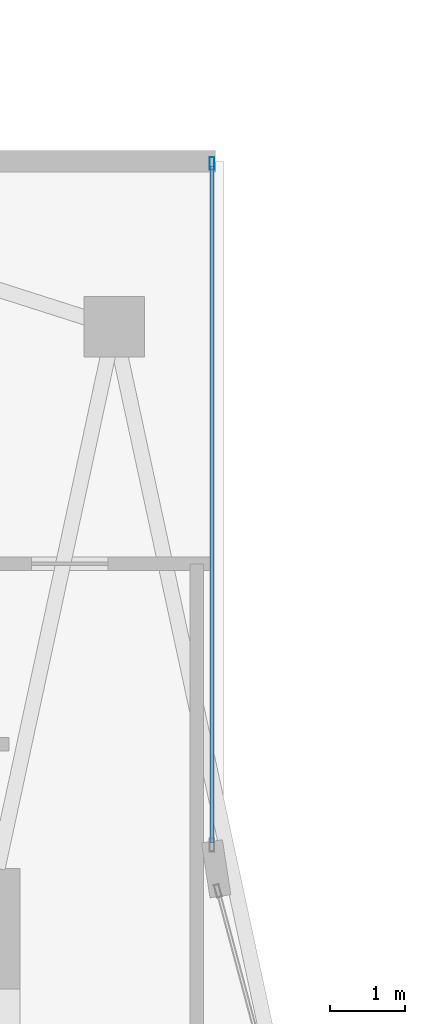
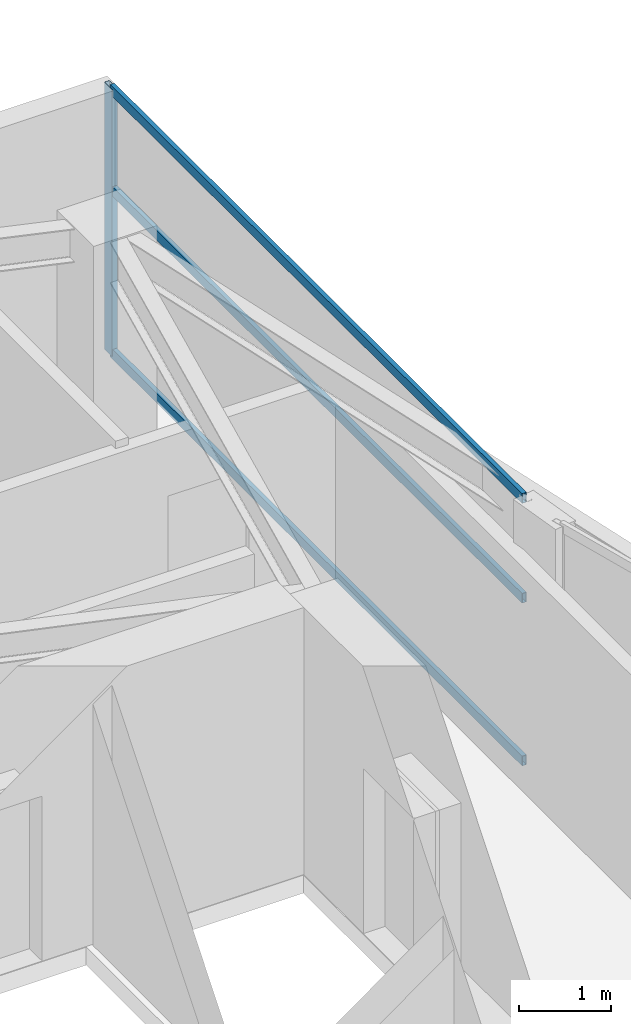
# One storey, part 20 of 28: 4 members, 1 element without a shape of its own.
"""IFC4 building model written with IfcOpenShell, lengths in metres."""

from ifc_helpers import new_model, si_unit, direction, frame, origin, origin_2d, place, context, subcontext, project, spatial, hollow_rectangle, extrude, material, layer, layer_set, material_profile, profile_set, type_object, element, aggregate, save


model = new_model("IFC4")

# Units and contexts
model_context = context("Model", 3, precision=1e-05, world=origin(), true_north=direction((0.0, 1.0)))
body_context = subcontext(model_context, "Body", "Model", "MODEL_VIEW")
ifc_project = project(units=[si_unit("LENGTHUNIT", "METRE"), si_unit("AREAUNIT", "SQUARE_METRE"), si_unit("VOLUMEUNIT", "CUBIC_METRE"), si_unit("PLANEANGLEUNIT", "RADIAN"), si_unit("MASSUNIT", "GRAM", prefix="KILO")], contexts=[model_context])

# Site, building, storey
site_placement = place(None, origin())
site = spatial("IfcSite", under=ifc_project, at=site_placement, CompositionType="ELEMENT")
building_placement = place(site_placement, origin())
building = spatial("IfcBuilding", under=site, at=building_placement, Name="Calvorn Quay Hotel", CompositionType="ELEMENT")
storey_placement = place(building_placement, frame((0.0, 0.0, 271.10009765625)))
storey = spatial("IfcBuildingStorey", under=building, at=storey_placement, Name="L67", CompositionType="ELEMENT", Elevation=271.10009765625)

# Curtain wall, members
ifc_material_1 = material(Name="Champagne Bronze Anodised Aluminium and Low-E Glass", Category="aluminium")
ifc_layer = layer(ifc_material_1, 0.219970703125)
ifc_layer_set = layer_set([ifc_layer], Name="CW-SYS-Z4")
curtain_wall_type = type_object("IfcCurtainWallType", Name="CW-SYS-Z4", PredefinedType="NOTDEFINED", material=ifc_layer_set)
curtain_wall_placement = place(storey_placement, origin())
curtain_wall = element("IfcCurtainWall", 1, at=curtain_wall_placement, inside=storey, type_object=curtain_wall_type, Name="Inner Court Curtain Wall L67-IC2", PredefinedType="NOTDEFINED")
ifc_material_2 = material(Name="Champagne Bronze Anodised Aluminium 6063-T6", Category="aluminium")
ifc_material_profile_1 = material_profile(ifc_material_2, hollow_rectangle(XDim=0.06494140625, YDim=0.169921875, WallThickness=0.00341796875, at=origin_2d()), Name="ALU-M170x65x3.5")
ifc_profile_set_1 = profile_set([ifc_material_profile_1], Name="Champagne Bronze Anodised Aluminium 6063-T6")
member_type_1 = type_object("IfcMemberType", Name="CW-SYS-Z4-MUL", PredefinedType="MULLION", material=ifc_profile_set_1)
member_1_placement = place(storey_placement, frame((17.85009765625, 47.77001953125, 0.0), z_axis=(0.0, 0.0, 1.0), x_axis=(-1.0, 0.0, 0.0)))
member_1 = element("IfcMember", 2, at=member_1_placement, type_object=member_type_1, Name="CW-L67-IC2 mullion 2", PredefinedType="MULLION", context=body_context, shape_type="SweptSolid", body=[
    extrude(hollow_rectangle(XDim=0.06494140625, YDim=0.169921875, WallThickness=0.00341796875, at=origin_2d()), origin(), (0.0, 0.0, 1.0), 3.559814453125),
])
ifc_material_3 = material(Name="Champagne Bronze Anodised Aluminium 6063-T6", Category="aluminium")
ifc_material_profile_2 = material_profile(ifc_material_3, hollow_rectangle(XDim=0.054931640625, YDim=0.1298828125, WallThickness=0.003173828125, at=origin_2d()), Name="ALU-T130x55x3.2")
ifc_profile_set_2 = profile_set([ifc_material_profile_2], Name="Champagne Bronze Anodised Aluminium 6063-T6")
member_type_2 = type_object("IfcMemberType", Name="CW-SYS-Z4-TRN", PredefinedType="USERDEFINED", material=ifc_profile_set_2)
member_2_placement = place(storey_placement, frame((17.85009765625, 38.739990234375, 0.02978515625), z_axis=(0.0, 1.0, 0.0), x_axis=(-1.0, 0.0, 0.0)))
member_2 = element("IfcMember", 3, at=member_2_placement, type_object=member_type_2, Name="CW-L67-IC2 transom 1.1", ObjectType="TRANSOM", PredefinedType="USERDEFINED", context=body_context, shape_type="SweptSolid", body=[
    extrude(hollow_rectangle(XDim=0.054931640625, YDim=0.1298828125, WallThickness=0.003173828125, at=origin_2d()), origin(), (0.0, 0.0, 1.0), 9.0),
])
member_3_placement = place(storey_placement, frame((17.85009765625, 38.739990234375, 2.199951171875), z_axis=(0.0, 1.0, 0.0), x_axis=(-1.0, 0.0, 0.0)))
member_3 = element("IfcMember", 4, at=member_3_placement, type_object=member_type_2, Name="CW-L67-IC2 transom 1.2", ObjectType="TRANSOM", PredefinedType="USERDEFINED", context=body_context, shape_type="SweptSolid", body=[
    extrude(hollow_rectangle(XDim=0.054931640625, YDim=0.1298828125, WallThickness=0.003173828125, at=origin_2d()), origin(), (0.0, 0.0, 1.0), 9.0),
])
member_4_placement = place(storey_placement, frame((17.85009765625, 38.739990234375, 3.52978515625), z_axis=(0.0, 1.0, 0.0), x_axis=(-1.0, 0.0, 0.0)))
member_4 = element("IfcMember", 5, at=member_4_placement, type_object=member_type_2, Name="CW-L67-IC2 transom 1.3", ObjectType="TRANSOM", PredefinedType="USERDEFINED", context=body_context, shape_type="SweptSolid", body=[
    extrude(hollow_rectangle(XDim=0.054931640625, YDim=0.1298828125, WallThickness=0.003173828125, at=origin_2d()), origin(), (0.0, 0.0, 1.0), 9.0),
])
aggregate(curtain_wall, [member_1, member_2, member_3, member_4])

save(model, "model.ifc")
